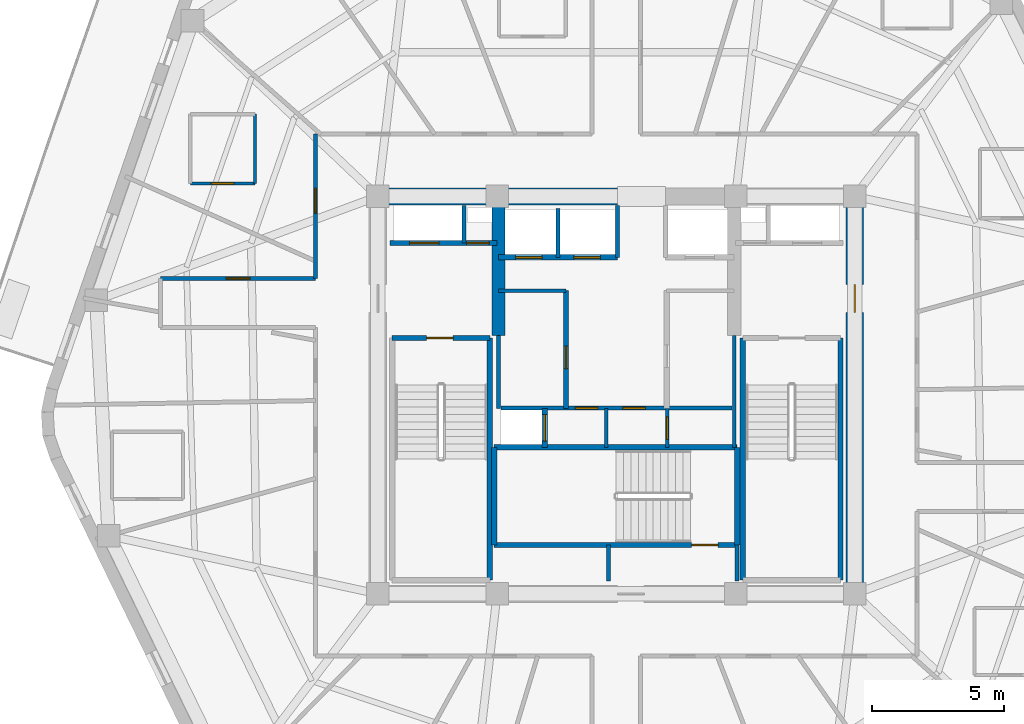
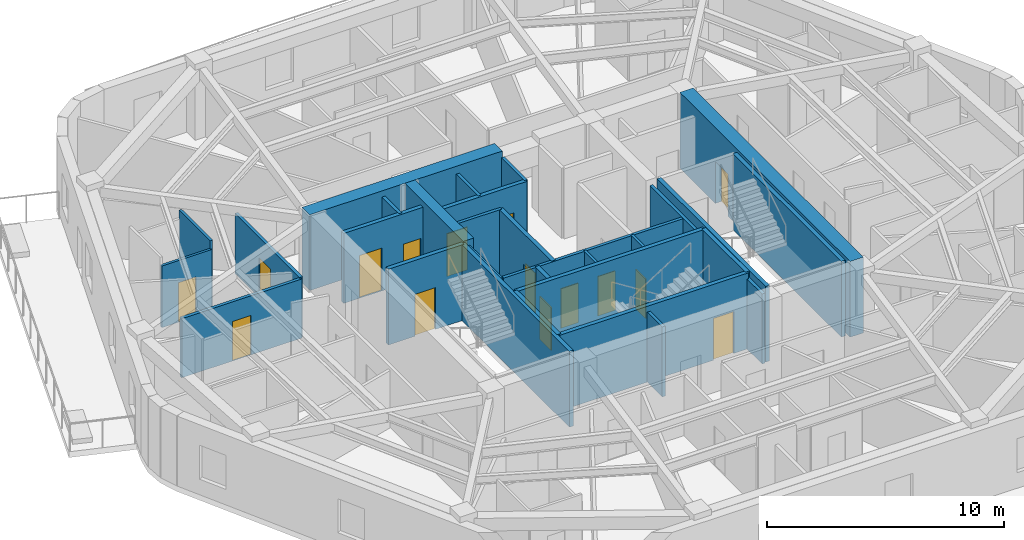
# One storey, part 4 of 9: 30 walls, 15 doors, 15 openings.
"""IFC4 building model written with IfcOpenShell, lengths in metres."""

from ifc_helpers import new_model, si_unit, direction, frame, frame_2d, origin, place, context, subcontext, project, spatial, rectangle, extrude, material, layer, layer_set, type_object, element, fill, save


model = new_model("IFC4")

# Units and contexts
model_context = context("Model", 3, precision=1e-05, world=origin(), true_north=direction((0.0, 1.0)))
body_context = subcontext(model_context, "Body", "Model", "MODEL_VIEW")
ifc_project = project(units=[si_unit("LENGTHUNIT", "METRE"), si_unit("AREAUNIT", "SQUARE_METRE"), si_unit("VOLUMEUNIT", "CUBIC_METRE"), si_unit("PLANEANGLEUNIT", "RADIAN"), si_unit("MASSUNIT", "GRAM", prefix="KILO")], contexts=[model_context])

# Site, building, storey
site_placement = place(None, origin())
site = spatial("IfcSite", under=ifc_project, at=site_placement, CompositionType="ELEMENT")
building_placement = place(site_placement, origin())
building = spatial("IfcBuilding", under=site, at=building_placement, Name="Kilnhurst Terrace Hotel", CompositionType="ELEMENT")
storey_placement = place(building_placement, frame((0.0, 0.0, 269.10009765625)))
storey = spatial("IfcBuildingStorey", under=building, at=storey_placement, Name="L67", CompositionType="ELEMENT", Elevation=269.10009765625)

# Wall, opening, door
ifc_material_1 = material(Name="Acoustic Double-Gypsum Corridor Partition Assembly")
ifc_layer_1 = layer(ifc_material_1, 0.14990234375, Name="Acoustic Double-Gypsum Corridor Partition Assembly")
ifc_layer_set_1 = layer_set([ifc_layer_1], Name="Acoustic Double-Gypsum Corridor Partition Assembly")
wall_type_1 = type_object("IfcWallType", Name="WL-COR-150", PredefinedType="PARTITIONING", material=ifc_layer_set_1)
wall_1_placement = place(storey_placement, frame((-17.199951171875, 4.39990234375, 0.0), z_axis=(0.0, 0.0, 1.0), x_axis=(1.0, 0.0, 0.0)))
wall_1 = element("IfcWall", 1, at=wall_1_placement, inside=storey, type_object=wall_type_1, Name="L67 Interior Wall WL-L67-COR-04", PredefinedType="PARTITIONING", context=body_context, shape_type="SweptSolid", body=[
    extrude(rectangle(XDim=5.849853515625, YDim=0.14990234375, at=frame_2d((2.9248046875, 0.0))), origin(), (0.0, 0.0, 1.0), 3.040283203125),
])
opening_1_placement = place(wall_1_placement, frame((2.47509765625, 0.0, 0.0)))
opening_1 = element("IfcOpeningElement", 2, at=opening_1_placement, cuts=wall_1, Name="Opening D-60C", PredefinedType="OPENING", context=body_context, shape_type="SweptSolid", body=[
    extrude(rectangle(XDim=0.89990234375, YDim=2.030029296875, at=frame_2d((0.449951171875, 1.01513671875))), frame((0.0, 0.0849609375, 0.0), z_axis=(0.0, -1.0, 0.0), x_axis=(1.0, 0.0, 0.0)), (0.0, 0.0, 1.0), 0.169921875),
])
ifc_material_2 = material(Name="Painted Solid-Core Service Fire Door")
door_type_1 = type_object("IfcDoorType", Name="DR-FD60-900", OperationType="NOTDEFINED", PredefinedType="DOOR", material=ifc_material_2)
door_1_placement = place(opening_1_placement, origin())
door_1 = element("IfcDoor", 3, at=door_1_placement, inside=storey, type_object=door_type_1, Name="L67 Wellness Consultation Room Door 10", OperationType="SINGLE_SWING_RIGHT", OverallHeight=2.030029296875, OverallWidth=0.89990234375, PredefinedType="DOOR", context=body_context, shape_type="SweptSolid", body=[
    extrude(rectangle(XDim=0.89990234375, YDim=2.030029296875, at=frame_2d((0.449951171875, 1.01513671875))), frame((0.0, 0.02490234375, 0.0), z_axis=(0.0, -1.0, 0.0), x_axis=(1.0, 0.0, 0.0)), (0.0, 0.0, 1.0), 0.050048828125),
])
fill(opening_1, door_1)

wall_2_placement = place(storey_placement, frame((-11.35009765625, 4.39990234375, 0.0), z_axis=(0.0, 0.0, 1.0), x_axis=(0.0, 1.0, 0.0)))
wall_2 = element("IfcWall", 4, at=wall_2_placement, inside=storey, type_object=wall_type_1, Name="L67 Interior Wall WL-L67-COR-05", PredefinedType="PARTITIONING", context=body_context, shape_type="SweptSolid", body=[
    extrude(rectangle(XDim=5.4501953125, YDim=0.14990234375, at=frame_2d((2.72509765625, 0.0))), origin(), (0.0, 0.0, 1.0), 3.08984375),
])
opening_2_placement = place(wall_2_placement, frame((2.4580078125, 0.0, 0.0)))
opening_2 = element("IfcOpeningElement", 5, at=opening_2_placement, cuts=wall_2, Name="Opening D-60B", PredefinedType="OPENING", context=body_context, shape_type="SweptSolid", body=[
    extrude(rectangle(XDim=0.949951171875, YDim=2.030029296875, at=frame_2d((0.47509765625, 1.01513671875))), frame((0.0, 0.0849609375, 0.0), z_axis=(0.0, -1.0, 0.0), x_axis=(1.0, 0.0, 0.0)), (0.0, 0.0, 1.0), 0.169921875),
])
ifc_material_3 = material(Name="Acoustic Walnut Veneer Solid-Core Fire Door")
door_type_2 = type_object("IfcDoorType", Name="DR-FD60-950", OperationType="NOTDEFINED", PredefinedType="DOOR", material=ifc_material_3)
door_2_placement = place(opening_2_placement, origin())
door_2 = element("IfcDoor", 6, at=door_2_placement, inside=storey, type_object=door_type_2, Name="L67 Guest Room Entry Door 9", OperationType="SINGLE_SWING_LEFT", OverallHeight=2.030029296875, OverallWidth=0.949951171875, PredefinedType="DOOR", context=body_context, shape_type="SweptSolid", body=[
    extrude(rectangle(XDim=0.949951171875, YDim=2.030029296875, at=frame_2d((0.47509765625, 1.01513671875))), frame((0.0, 0.02490234375, 0.0), z_axis=(0.0, -1.0, 0.0), x_axis=(1.0, 0.0, 0.0)), (0.0, 0.0, 1.0), 0.050048828125),
])
fill(opening_2, door_2)

# Wall
ifc_material_4 = material(Name="Concrete C60/75", Category="concrete")
ifc_layer_2 = layer(ifc_material_4, 0.64990234375, Name="Concrete C60/75")
ifc_layer_set_2 = layer_set([ifc_layer_2], Name="Concrete C60/75")
wall_type_2 = type_object("IfcWallType", Name="WL-CORE-650", PredefinedType="SHEAR", material=ifc_layer_set_2)
wall_3_placement = place(storey_placement, frame((-9.324951171875, 7.5, 0.0), z_axis=(0.0, 0.0, 1.0), x_axis=(1.0, 0.0, 0.0)))
element("IfcWall", 7, at=wall_3_placement, inside=storey, type_object=wall_type_2, Name="L67 Core North West Shear Wall", PredefinedType="SHEAR", context=body_context, shape_type="SweptSolid", body=[
    extrude(rectangle(XDim=9.375, YDim=0.64990234375, at=frame_2d((4.6875, 0.0))), origin(), (0.0, 0.0, 1.0), 3.89990234375),
])

# Wall, opening, door
wall_4_placement = place(storey_placement, frame((9.0, -7.175048828125, 0.0), z_axis=(0.0, 0.0, 1.0), x_axis=(0.0, 1.0, 0.0)))
wall_4 = element("IfcWall", 8, at=wall_4_placement, inside=storey, type_object=wall_type_2, Name="L67 Core East Shear Wall", PredefinedType="SHEAR", context=body_context, shape_type="SweptSolid", body=[
    extrude(rectangle(XDim=14.35009765625, YDim=0.64990234375, at=frame_2d((7.175048828125, 0.0))), origin(), (0.0, 0.0, 1.0), 3.89990234375),
])
opening_3_placement = place(wall_4_placement, frame((10.300048828125, 0.0, 0.0)))
opening_3 = element("IfcOpeningElement", 9, at=opening_3_placement, cuts=wall_4, Name="Opening D-90A", PredefinedType="OPENING", context=body_context, shape_type="SweptSolid", body=[
    extrude(rectangle(XDim=1.050048828125, YDim=2.14990234375, at=frame_2d((0.52490234375, 1.074951171875))), frame((0.0, 0.3349609375, 0.0), z_axis=(0.0, -1.0, 0.0), x_axis=(1.0, 0.0, 0.0)), (0.0, 0.0, 1.0), 0.669921875),
])
ifc_material_5 = material(Name="Painted Hollow Metal Steel ASTM A36 Fire Door", Category="steel")
door_type_3 = type_object("IfcDoorType", Name="DR-FD90-1050", OperationType="NOTDEFINED", PredefinedType="DOOR", material=ifc_material_5)
door_3_placement = place(opening_3_placement, origin())
door_3 = element("IfcDoor", 10, at=door_3_placement, inside=storey, type_object=door_type_3, Name="L67 East Firefighting Lobby Door", OperationType="SINGLE_SWING_LEFT", OverallHeight=2.14990234375, OverallWidth=1.050048828125, PredefinedType="DOOR", context=body_context, shape_type="SweptSolid", body=[
    extrude(rectangle(XDim=1.050048828125, YDim=2.14990234375, at=frame_2d((0.52490234375, 1.074951171875))), frame((0.0, 0.02490234375, 0.0), z_axis=(0.0, -1.0, 0.0), x_axis=(1.0, 0.0, 0.0)), (0.0, 0.0, 1.0), 0.050048828125),
])
fill(opening_3, door_3)

# Walls
ifc_layer_3 = layer(ifc_material_4, 0.5, Name="Concrete C60/75")
ifc_layer_set_3 = layer_set([ifc_layer_3], Name="Concrete C60/75")
wall_type_3 = type_object("IfcWallType", Name="WL-CORE-WEB-500", PredefinedType="SHEAR", material=ifc_layer_set_3)
wall_5_placement = place(storey_placement, frame((-4.449951171875, 2.25, 0.0), z_axis=(0.0, 0.0, 1.0), x_axis=(0.0, 1.0, 0.0)))
element("IfcWall", 11, at=wall_5_placement, inside=storey, type_object=wall_type_3, Name="L67 Core Internal West Shear Web", PredefinedType="SHEAR", context=body_context, shape_type="SweptSolid", body=[
    extrude(rectangle(XDim=4.925048828125, YDim=0.5, at=frame_2d((2.46240234375, 0.0))), origin(), (0.0, 0.0, 1.0), 3.89990234375),
])
ifc_material_6 = material(Name="120 mm Moisture-Resistant Tile-Backed Bathroom Partition")
ifc_layer_4 = layer(ifc_material_6, 0.1201171875, Name="120 mm Moisture-Resistant Tile-Backed Bathroom Partition")
ifc_layer_set_4 = layer_set([ifc_layer_4], Name="120 mm Moisture-Resistant Tile-Backed Bathroom Partition")
wall_type_4 = type_object("IfcWallType", Name="WL-PART-120", PredefinedType="PARTITIONING", material=ifc_layer_set_4)
wall_6_placement = place(storey_placement, frame((-0.3798828125, -1.971923828125, 0.0), z_axis=(0.0, 0.0, 1.0), x_axis=(0.0, 1.0, 0.0)))
element("IfcWall", 12, at=wall_6_placement, inside=storey, type_object=wall_type_4, Name="L67 Interior Wall WL-L67-BOH-C1", PredefinedType="PARTITIONING", context=body_context, shape_type="SweptSolid", body=[
    extrude(rectangle(XDim=1.471923828125, YDim=0.1201171875, at=frame_2d((0.73583984375, 0.0))), origin(), (0.0, 0.0, 1.0), 3.599853515625),
])

# Wall, opening, door
wall_7_placement = place(storey_placement, frame((1.919921875, -1.971923828125, 0.0), z_axis=(0.0, 0.0, 1.0), x_axis=(0.0, 1.0, 0.0)))
wall_7 = element("IfcWall", 13, at=wall_7_placement, inside=storey, type_object=wall_type_4, Name="L67 Interior Wall WL-L67-BOH-C2", PredefinedType="PARTITIONING", context=body_context, shape_type="SweptSolid", body=[
    extrude(rectangle(XDim=1.471923828125, YDim=0.1201171875, at=frame_2d((0.73583984375, 0.0))), origin(), (0.0, 0.0, 1.0), 3.599853515625),
])
opening_4_placement = place(wall_7_placement, frame((0.300048828125, 0.0, 0.0)))
opening_4 = element("IfcOpeningElement", 14, at=opening_4_placement, cuts=wall_7, Name="Opening D-08A", PredefinedType="OPENING", context=body_context, shape_type="SweptSolid", body=[
    extrude(rectangle(XDim=0.85009765625, YDim=2.030029296875, at=frame_2d((0.425048828125, 1.01513671875))), frame((0.0, 0.070068359375, 0.0), z_axis=(0.0, -1.0, 0.0), x_axis=(1.0, 0.0, 0.0)), (0.0, 0.0, 1.0), 0.14013671875),
])
ifc_material_7 = material(Name="Moisture-Resistant Lacquered En-suite Bathroom Door")
door_type_4 = type_object("IfcDoorType", Name="DR-INT-850", OperationType="NOTDEFINED", PredefinedType="DOOR", material=ifc_material_7)
door_4_placement = place(opening_4_placement, origin())
door_4 = element("IfcDoor", 15, at=door_4_placement, inside=storey, type_object=door_type_4, Name="L67 Staff Restroom Door", OperationType="SINGLE_SWING_RIGHT", OverallHeight=2.030029296875, OverallWidth=0.85009765625, PredefinedType="DOOR", context=body_context, shape_type="SweptSolid", body=[
    extrude(rectangle(XDim=0.85009765625, YDim=2.030029296875, at=frame_2d((0.425048828125, 1.01513671875))), frame((0.0, 0.02490234375, 0.0), z_axis=(0.0, -1.0, 0.0), x_axis=(1.0, 0.0, 0.0)), (0.0, 0.0, 1.0), 0.050048828125),
])
fill(opening_4, door_4)

wall_8_placement = place(storey_placement, frame((-16.0791015625, 7.991943359375, 0.0), z_axis=(0.0, 0.0, 1.0), x_axis=(1.0, 0.0, 0.0)))
wall_8 = element("IfcWall", 16, at=wall_8_placement, inside=storey, type_object=wall_type_4, Name="L67 Interior Wall WL-L67-BTH-09-1", PredefinedType="PARTITIONING", context=body_context, shape_type="SweptSolid", body=[
    extrude(rectangle(XDim=2.440185546875, YDim=0.1201171875, at=frame_2d((1.22021484375, 0.0))), origin(), (0.0, 0.0, 1.0), 3.17236328125),
])
opening_5_placement = place(wall_8_placement, frame((0.794921875, 0.0, 0.0)))
opening_5 = element("IfcOpeningElement", 17, at=opening_5_placement, cuts=wall_8, Name="Opening D-08A", PredefinedType="OPENING", context=body_context, shape_type="SweptSolid", body=[
    extrude(rectangle(XDim=0.85009765625, YDim=2.030029296875, at=frame_2d((0.425048828125, 1.01513671875))), frame((0.0, 0.070068359375, 0.0), z_axis=(0.0, -1.0, 0.0), x_axis=(1.0, 0.0, 0.0)), (0.0, 0.0, 1.0), 0.14013671875),
])
door_5_placement = place(opening_5_placement, origin())
door_5 = element("IfcDoor", 18, at=door_5_placement, inside=storey, type_object=door_type_4, Name="L67 En-suite Bathroom Door 9", OperationType="SINGLE_SWING_RIGHT", OverallHeight=2.030029296875, OverallWidth=0.85009765625, PredefinedType="DOOR", context=body_context, shape_type="SweptSolid", body=[
    extrude(rectangle(XDim=0.85009765625, YDim=2.030029296875, at=frame_2d((0.425048828125, 1.01513671875))), frame((0.0, 0.02490234375, 0.0), z_axis=(0.0, -1.0, 0.0), x_axis=(1.0, 0.0, 0.0)), (0.0, 0.0, 1.0), 0.050048828125),
])
fill(opening_5, door_5)

# Walls
wall_9_placement = place(storey_placement, frame((-13.638916015625, 7.991943359375, 0.0), z_axis=(0.0, 0.0, 1.0), x_axis=(0.0, 1.0, 0.0)))
element("IfcWall", 19, at=wall_9_placement, inside=storey, type_object=wall_type_4, Name="L67 Interior Wall WL-L67-BTH-09-2", PredefinedType="PARTITIONING", context=body_context, shape_type="SweptSolid", body=[
    extrude(rectangle(XDim=2.610107421875, YDim=0.1201171875, at=frame_2d((1.30517578125, 0.0))), origin(), (0.0, 0.0, 1.0), 3.599853515625),
])
ifc_material_8 = material(Name="Fire-Rated Gypsum Shaftliner Assembly")
ifc_layer_5 = layer(ifc_material_8, 0.14990234375, Name="Fire-Rated Gypsum Shaftliner Assembly")
ifc_layer_set_5 = layer_set([ifc_layer_5], Name="Fire-Rated Gypsum Shaftliner Assembly")
wall_type_5 = type_object("IfcWallType", Name="WL-SHAFT-150", PredefinedType="PARTITIONING", material=ifc_layer_set_5)
for number, where, z_axis, x_axis, name in (
    (20, (-0.300048828125, -7.02001953125, 0.0), (0.0, 0.0, 1.0), (0.0, 1.0, 0.0), "L67 Interior Wall WL-L67-ST3-PSGW"),
    (21, (4.55810546875, -7.02001953125, 0.0), (0.0, 0.0, 1.0), (0.0, 1.0, 0.0), "L67 Interior Wall WL-L67-ST3-PSGE"),
):
    element("IfcWall", number, at=place(storey_placement, frame(where, z_axis=z_axis, x_axis=x_axis)), inside=storey, type_object=wall_type_5, Name=name, PredefinedType="PARTITIONING", context=body_context, shape_type="SweptSolid", body=[
        extrude(rectangle(XDim=1.362060546875, YDim=0.14990234375, at=frame_2d((0.68115234375, 0.0))), origin(), (0.0, 0.0, 1.0), 3.599853515625),
    ])
wall_10_placement = place(storey_placement, frame((-5.75, 5.739990234375, 0.0), z_axis=(0.0, 0.0, 1.0), x_axis=(0.0, 1.0, 0.0)))
element("IfcWall", 22, at=wall_10_placement, inside=storey, type_object=wall_type_5, Name="L67 Interior Wall WL-L67-RIS1-DIV", PredefinedType="PARTITIONING", context=body_context, shape_type="SweptSolid", body=[
    extrude(rectangle(XDim=1.409912109375, YDim=0.14990234375, at=frame_2d((0.705078125, 0.0))), origin(), (0.0, 0.0, 1.0), 3.599853515625),
])
wall_11_placement = place(storey_placement, frame((-2.199951171875, 5.199951171875, 0.0), z_axis=(0.0, 0.0, 1.0), x_axis=(0.0, 1.0, 0.0)))
element("IfcWall", 23, at=wall_11_placement, inside=storey, type_object=wall_type_5, Name="L67 Interior Wall WL-L67-HR-DIV1", PredefinedType="PARTITIONING", context=body_context, shape_type="SweptSolid", body=[
    extrude(rectangle(XDim=1.85009765625, YDim=0.14990234375, at=frame_2d((0.925048828125, 0.0))), origin(), (0.0, 0.0, 1.0), 3.599853515625),
])
wall_12_placement = place(storey_placement, frame((0.050048828125, 5.199951171875, 0.0), z_axis=(0.0, 0.0, 1.0), x_axis=(0.0, 1.0, 0.0)))
element("IfcWall", 24, at=wall_12_placement, inside=storey, type_object=wall_type_5, Name="L67 Interior Wall WL-L67-HR-PORTAL-W", PredefinedType="PARTITIONING", context=body_context, shape_type="SweptSolid", body=[
    extrude(rectangle(XDim=1.949951171875, YDim=0.14990234375, at=frame_2d((0.97509765625, 0.0))), origin(), (0.0, 0.0, 1.0), 3.599853515625),
])
wall_13_placement = place(storey_placement, frame((-4.449951171875, -0.5, 0.0), z_axis=(0.0, 0.0, 1.0), x_axis=(0.0, 1.0, 0.0)))
element("IfcWall", 25, at=wall_13_placement, inside=storey, type_object=wall_type_5, Name="L67 Interior Wall WL-L67-XLOB-W", PredefinedType="PARTITIONING", context=body_context, shape_type="SweptSolid", body=[
    extrude(rectangle(XDim=2.75, YDim=0.14990234375, at=frame_2d((1.375, 0.0))), origin(), (0.0, 0.0, 1.0), 3.599853515625),
])
wall_14_placement = place(storey_placement, frame((4.449951171875, -1.971923828125, 0.0), z_axis=(0.0, 0.0, 1.0), x_axis=(0.0, 1.0, 0.0)))
element("IfcWall", 26, at=wall_14_placement, inside=storey, type_object=wall_type_5, Name="L67 Interior Wall WL-L67-XLOB-E", PredefinedType="PARTITIONING", context=body_context, shape_type="SweptSolid", body=[
    extrude(rectangle(XDim=4.221923828125, YDim=0.14990234375, at=frame_2d((2.11083984375, 0.0))), origin(), (0.0, 0.0, 1.0), 3.599853515625),
])
wall_15_placement = place(storey_placement, frame((-4.449951171875, 3.93994140625, 0.0), z_axis=(0.0, 0.0, 1.0), x_axis=(1.0, 0.0, 0.0)))
element("IfcWall", 27, at=wall_15_placement, inside=storey, type_object=wall_type_5, Name="L67 Interior Wall WL-L67-LR-NORTH", PredefinedType="PARTITIONING", context=body_context, shape_type="SweptSolid", body=[
    extrude(rectangle(XDim=2.550048828125, YDim=0.14990234375, at=frame_2d((1.27490234375, 0.0))), origin(), (0.0, 0.0, 1.0), 3.599853515625),
])

# Wall, openings, doors
wall_16_placement = place(storey_placement, frame((-4.360107421875, -0.489990234375, 0.0), z_axis=(0.0, 0.0, 1.0), x_axis=(1.0, 0.0, 0.0)))
wall_16 = element("IfcWall", 28, at=wall_16_placement, inside=storey, type_object=wall_type_5, Name="L67 Interior Wall WL-L67-BOH-N", PredefinedType="PARTITIONING", context=body_context, shape_type="SweptSolid", body=[
    extrude(rectangle(XDim=8.72021484375, YDim=0.14990234375, at=frame_2d((4.360107421875, 0.0))), origin(), (0.0, 0.0, 1.0), 3.599853515625),
])
opening_6_placement = place(wall_16_placement, frame((2.81005859375, 0.0, 0.0)))
opening_6 = element("IfcOpeningElement", 29, at=opening_6_placement, cuts=wall_16, Name="Opening D-60D", PredefinedType="OPENING", context=body_context, shape_type="SweptSolid", body=[
    extrude(rectangle(XDim=0.85009765625, YDim=2.030029296875, at=frame_2d((0.425048828125, 1.01513671875))), frame((0.0, 0.0849609375, 0.0), z_axis=(0.0, -1.0, 0.0), x_axis=(1.0, 0.0, 0.0)), (0.0, 0.0, 1.0), 0.169921875),
])
opening_7_placement = place(wall_16_placement, frame((4.610107421875, 0.0, 0.0)))
opening_7 = element("IfcOpeningElement", 30, at=opening_7_placement, cuts=wall_16, Name="Opening D-60D", PredefinedType="OPENING", context=body_context, shape_type="SweptSolid", body=[
    extrude(rectangle(XDim=0.85009765625, YDim=2.030029296875, at=frame_2d((0.425048828125, 1.01513671875))), frame((0.0, 0.0849609375, 0.0), z_axis=(0.0, -1.0, 0.0), x_axis=(1.0, 0.0, 0.0)), (0.0, 0.0, 1.0), 0.169921875),
])
ifc_material_9 = material(Name="Painted Hollow Metal Steel ASTM A36 Riser Door", Category="steel")
door_type_5 = type_object("IfcDoorType", Name="DR-FD60-850", OperationType="NOTDEFINED", PredefinedType="DOOR", material=ifc_material_9)
door_6_placement = place(opening_6_placement, origin())
door_6 = element("IfcDoor", 31, at=door_6_placement, inside=storey, type_object=door_type_5, Name="L67 Housekeeping Station Door", OperationType="SINGLE_SWING_LEFT", OverallHeight=2.030029296875, OverallWidth=0.85009765625, PredefinedType="DOOR", context=body_context, shape_type="SweptSolid", body=[
    extrude(rectangle(XDim=0.85009765625, YDim=2.030029296875, at=frame_2d((0.425048828125, 1.01513671875))), frame((0.0, 0.02490234375, 0.0), z_axis=(0.0, -1.0, 0.0), x_axis=(1.0, 0.0, 0.0)), (0.0, 0.0, 1.0), 0.050048828125),
])
fill(opening_6, door_6)
door_7_placement = place(opening_7_placement, origin())
door_7 = element("IfcDoor", 32, at=door_7_placement, inside=storey, type_object=door_type_5, Name="L67 Beverage Pantry Door", OperationType="SINGLE_SWING_RIGHT", OverallHeight=2.030029296875, OverallWidth=0.85009765625, PredefinedType="DOOR", context=body_context, shape_type="SweptSolid", body=[
    extrude(rectangle(XDim=0.85009765625, YDim=2.030029296875, at=frame_2d((0.425048828125, 1.01513671875))), frame((0.0, 0.02490234375, 0.0), z_axis=(0.0, -1.0, 0.0), x_axis=(1.0, 0.0, 0.0)), (0.0, 0.0, 1.0), 0.050048828125),
])
fill(opening_7, door_7)

ifc_material_10 = material(Name="Autoclaved Aerated Concrete C30/37 and Gypsum Shaft Assembly", Category="concrete")
ifc_layer_6 = layer(ifc_material_10, 0.199951171875, Name="Autoclaved Aerated Concrete C30/37 and Gypsum Shaft Assembly")
ifc_layer_set_6 = layer_set([ifc_layer_6], Name="Autoclaved Aerated Concrete C30/37 and Gypsum Shaft Assembly")
wall_type_6 = type_object("IfcWallType", Name="WL-SHAFT-200", PredefinedType="PARTITIONING", material=ifc_layer_set_6)
wall_17_placement = place(storey_placement, frame((-8.550048828125, 5.739990234375, 0.0), z_axis=(0.0, 0.0, 1.0), x_axis=(1.0, 0.0, 0.0)))
wall_17 = element("IfcWall", 33, at=wall_17_placement, inside=storey, type_object=wall_type_6, Name="L67 Interior Wall WL-L67-FSAE1-S", PredefinedType="PARTITIONING", context=body_context, shape_type="SweptSolid", body=[
    extrude(rectangle(XDim=4.050048828125, YDim=0.199951171875, at=frame_2d((2.02490234375, 0.0))), origin(), (0.0, 0.0, 1.0), 3.599853515625),
])
opening_8_placement = place(wall_17_placement, frame((0.75, 0.0, 0.0)))
opening_8 = element("IfcOpeningElement", 34, at=opening_8_placement, cuts=wall_17, Name="Opening LD-F1", PredefinedType="OPENING", context=body_context, shape_type="SweptSolid", body=[
    extrude(rectangle(XDim=1.10009765625, YDim=2.199951171875, at=frame_2d((0.550048828125, 1.10009765625))), frame((0.0, 0.10986328125, 0.0), z_axis=(0.0, -1.0, 0.0), x_axis=(1.0, 0.0, 0.0)), (0.0, 0.0, 1.0), 0.219970703125),
])
opening_9_placement = place(wall_17_placement, frame((2.89990234375, 0.0, 0.0)))
opening_9 = element("IfcOpeningElement", 35, at=opening_9_placement, cuts=wall_17, Name="Opening D-60D", PredefinedType="OPENING", context=body_context, shape_type="SweptSolid", body=[
    extrude(rectangle(XDim=0.85009765625, YDim=2.030029296875, at=frame_2d((0.425048828125, 1.01513671875))), frame((0.0, 0.10986328125, 0.0), z_axis=(0.0, -1.0, 0.0), x_axis=(1.0, 0.0, 0.0)), (0.0, 0.0, 1.0), 0.219970703125),
])
door_8_placement = place(opening_9_placement, origin())
door_8 = element("IfcDoor", 36, at=door_8_placement, inside=storey, type_object=door_type_5, Name="L67 Electrical Riser Door", OperationType="SINGLE_SWING_LEFT", OverallHeight=2.030029296875, OverallWidth=0.85009765625, PredefinedType="DOOR", context=body_context, shape_type="SweptSolid", body=[
    extrude(rectangle(XDim=0.85009765625, YDim=2.030029296875, at=frame_2d((0.425048828125, 1.01513671875))), frame((0.0, 0.02490234375, 0.0), z_axis=(0.0, -1.0, 0.0), x_axis=(1.0, 0.0, 0.0)), (0.0, 0.0, 1.0), 0.050048828125),
])
fill(opening_9, door_8)
ifc_material_11 = material(Name="Bronze-Anodized Stainless Steel AISI 316L Sliding Door", Category="steel")
door_type_6 = type_object("IfcDoorType", Name="DR-LIFT-1100", OperationType="NOTDEFINED", PredefinedType="DOOR", material=ifc_material_11)
door_9_placement = place(opening_8_placement, origin())
door_9 = element("IfcDoor", 37, at=door_9_placement, inside=storey, type_object=door_type_6, Name="L67 FSAE-1 Landing Door", OperationType="SLIDING_TO_LEFT", OverallHeight=2.199951171875, OverallWidth=1.10009765625, PredefinedType="DOOR", context=body_context, shape_type="SweptSolid", body=[
    extrude(rectangle(XDim=1.10009765625, YDim=2.199951171875, at=frame_2d((0.550048828125, 1.10009765625))), frame((0.0, 0.02490234375, 0.0), z_axis=(0.0, -1.0, 0.0), x_axis=(1.0, 0.0, 0.0)), (0.0, 0.0, 1.0), 0.050048828125),
])
fill(opening_8, door_9)

# Wall, opening, door
wall_18_placement = place(storey_placement, frame((-2.699951171875, -1.971923828125, 0.0), z_axis=(0.0, 0.0, 1.0), x_axis=(0.0, 1.0, 0.0)))
wall_18 = element("IfcWall", 38, at=wall_18_placement, inside=storey, type_object=wall_type_6, Name="L67 Interior Wall WL-L67-SRV1-E", PredefinedType="PARTITIONING", context=body_context, shape_type="SweptSolid", body=[
    extrude(rectangle(XDim=1.471923828125, YDim=0.199951171875, at=frame_2d((0.73583984375, 0.0))), origin(), (0.0, 0.0, 1.0), 3.599853515625),
])
opening_10_placement = place(wall_18_placement, frame((0.239990234375, 0.0, 0.0)))
opening_10 = element("IfcOpeningElement", 39, at=opening_10_placement, cuts=wall_18, Name="Opening LD-SV", PredefinedType="OPENING", context=body_context, shape_type="SweptSolid", body=[
    extrude(rectangle(XDim=1.0, YDim=2.199951171875, at=frame_2d((0.5, 1.10009765625))), frame((0.0, 0.10986328125, 0.0), z_axis=(0.0, -1.0, 0.0), x_axis=(1.0, 0.0, 0.0)), (0.0, 0.0, 1.0), 0.219970703125),
])
door_type_7 = type_object("IfcDoorType", Name="DR-LIFT-1000", OperationType="NOTDEFINED", PredefinedType="DOOR", material=ifc_material_11)
door_10_placement = place(opening_10_placement, origin())
door_10 = element("IfcDoor", 40, at=door_10_placement, inside=storey, type_object=door_type_7, Name="L67 Service Lift SRV-1 Landing Door", OperationType="SLIDING_TO_LEFT", OverallHeight=2.199951171875, OverallWidth=1.0, PredefinedType="DOOR", context=body_context, shape_type="SweptSolid", body=[
    extrude(rectangle(XDim=1.0, YDim=2.199951171875, at=frame_2d((0.5, 1.10009765625))), frame((0.0, 0.02490234375, 0.0), z_axis=(0.0, -1.0, 0.0), x_axis=(1.0, 0.0, 0.0)), (0.0, 0.0, 1.0), 0.050048828125),
])
fill(opening_10, door_10)

# Wall, openings, doors
wall_19_placement = place(storey_placement, frame((-4.449951171875, 5.199951171875, 0.0), z_axis=(0.0, 0.0, 1.0), x_axis=(1.0, 0.0, 0.0)))
wall_19 = element("IfcWall", 41, at=wall_19_placement, inside=storey, type_object=wall_type_6, Name="L67 Interior Wall WL-L67-HR-SW", PredefinedType="PARTITIONING", context=body_context, shape_type="SweptSolid", body=[
    extrude(rectangle(XDim=4.5, YDim=0.199951171875, at=frame_2d((2.25, 0.0))), origin(), (0.0, 0.0, 1.0), 3.599853515625),
])
opening_11_placement = place(wall_19_placement, frame((0.64990234375, 0.0, 0.0)))
opening_11 = element("IfcOpeningElement", 42, at=opening_11_placement, cuts=wall_19, Name="Opening LD-HR", PredefinedType="OPENING", context=body_context, shape_type="SweptSolid", body=[
    extrude(rectangle(XDim=1.0, YDim=2.199951171875, at=frame_2d((0.5, 1.10009765625))), frame((0.0, 0.10986328125, 0.0), z_axis=(0.0, -1.0, 0.0), x_axis=(1.0, 0.0, 0.0)), (0.0, 0.0, 1.0), 0.219970703125),
])
opening_12_placement = place(wall_19_placement, frame((2.85009765625, 0.0, 0.0)))
opening_12 = element("IfcOpeningElement", 43, at=opening_12_placement, cuts=wall_19, Name="Opening LD-HS", PredefinedType="OPENING", context=body_context, shape_type="SweptSolid", body=[
    extrude(rectangle(XDim=1.0, YDim=2.199951171875, at=frame_2d((0.5, 1.10009765625))), frame((0.0, 0.10986328125, 0.0), z_axis=(0.0, -1.0, 0.0), x_axis=(1.0, 0.0, 0.0)), (0.0, 0.0, 1.0), 0.219970703125),
])
door_11_placement = place(opening_11_placement, origin())
door_11 = element("IfcDoor", 44, at=door_11_placement, inside=storey, type_object=door_type_7, Name="L67 High Rise Lift HR-1 Landing Door", OperationType="SLIDING_TO_LEFT", OverallHeight=2.199951171875, OverallWidth=1.0, PredefinedType="DOOR", context=body_context, shape_type="SweptSolid", body=[
    extrude(rectangle(XDim=1.0, YDim=2.199951171875, at=frame_2d((0.5, 1.10009765625))), frame((0.0, 0.02490234375, 0.0), z_axis=(0.0, -1.0, 0.0), x_axis=(1.0, 0.0, 0.0)), (0.0, 0.0, 1.0), 0.050048828125),
])
fill(opening_11, door_11)
door_12_placement = place(opening_12_placement, origin())
door_12 = element("IfcDoor", 45, at=door_12_placement, inside=storey, type_object=door_type_7, Name="L67 High Rise Lift HR-3 Landing Door", OperationType="SLIDING_TO_RIGHT", OverallHeight=2.199951171875, OverallWidth=1.0, PredefinedType="DOOR", context=body_context, shape_type="SweptSolid", body=[
    extrude(rectangle(XDim=1.0, YDim=2.199951171875, at=frame_2d((0.5, 1.10009765625))), frame((0.0, 0.02490234375, 0.0), z_axis=(0.0, -1.0, 0.0), x_axis=(1.0, 0.0, 0.0)), (0.0, 0.0, 1.0), 0.050048828125),
])
fill(opening_12, door_12)

# Wall, opening, door
wall_20_placement = place(storey_placement, frame((-1.89990234375, -0.5, 0.0), z_axis=(0.0, 0.0, 1.0), x_axis=(0.0, 1.0, 0.0)))
wall_20 = element("IfcWall", 46, at=wall_20_placement, inside=storey, type_object=wall_type_6, Name="L67 Interior Wall WL-L67-LR-FRONT", PredefinedType="PARTITIONING", context=body_context, shape_type="SweptSolid", body=[
    extrude(rectangle(XDim=4.43994140625, YDim=0.199951171875, at=frame_2d((2.219970703125, 0.0))), origin(), (0.0, 0.0, 1.0), 3.599853515625),
])
opening_13_placement = place(wall_20_placement, frame((1.5, 0.0, 0.0)))
opening_13 = element("IfcOpeningElement", 47, at=opening_13_placement, cuts=wall_20, Name="Opening D-60D", PredefinedType="OPENING", context=body_context, shape_type="SweptSolid", body=[
    extrude(rectangle(XDim=0.85009765625, YDim=2.030029296875, at=frame_2d((0.425048828125, 1.01513671875))), frame((0.0, 0.10986328125, 0.0), z_axis=(0.0, -1.0, 0.0), x_axis=(1.0, 0.0, 0.0)), (0.0, 0.0, 1.0), 0.219970703125),
])
door_13_placement = place(opening_13_placement, origin())
door_13 = element("IfcDoor", 48, at=door_13_placement, inside=storey, type_object=door_type_5, Name="L67 Reclaimed Linen Room Door", OperationType="SINGLE_SWING_LEFT", OverallHeight=2.030029296875, OverallWidth=0.85009765625, PredefinedType="DOOR", context=body_context, shape_type="SweptSolid", body=[
    extrude(rectangle(XDim=0.85009765625, YDim=2.030029296875, at=frame_2d((0.425048828125, 1.01513671875))), frame((0.0, 0.02490234375, 0.0), z_axis=(0.0, -1.0, 0.0), x_axis=(1.0, 0.0, 0.0)), (0.0, 0.0, 1.0), 0.050048828125),
])
fill(opening_13, door_13)

# Wall
ifc_material_12 = material(Name="Concrete C50/60", Category="concrete")
ifc_layer_7 = layer(ifc_material_12, 0.199951171875, Name="Concrete C50/60")
ifc_layer_set_7 = layer_set([ifc_layer_7], Name="Concrete C50/60")
wall_type_7 = type_object("IfcWallType", Name="WL-STAIR-RC-200", PredefinedType="SHEAR", material=ifc_layer_set_7)
wall_21_placement = place(storey_placement, frame((-4.77197265625, -6.985107421875, 0.0), z_axis=(0.0, 0.0, 1.0), x_axis=(0.0, 1.0, 0.0)))
element("IfcWall", 49, at=wall_21_placement, inside=storey, type_object=wall_type_7, Name="L67 Structural Stair Shaft Wall WL-L67-ST1-E", PredefinedType="SHEAR", context=body_context, shape_type="SweptSolid", body=[
    extrude(rectangle(XDim=9.14306640625, YDim=0.199951171875, at=frame_2d((4.571533203125, 0.0))), origin(), (0.0, 0.0, 1.0), 3.89990234375),
])

# Wall, opening, door
wall_22_placement = place(storey_placement, frame((-8.4580078125, 2.157958984375, 0.0), z_axis=(0.0, 0.0, 1.0), x_axis=(1.0, 0.0, 0.0)))
wall_22 = element("IfcWall", 50, at=wall_22_placement, inside=storey, type_object=wall_type_7, Name="L67 Structural Stair Shaft Wall WL-L67-ST1-N", PredefinedType="SHEAR", context=body_context, shape_type="SweptSolid", body=[
    extrude(rectangle(XDim=3.68603515625, YDim=0.199951171875, at=frame_2d((1.843017578125, 0.0))), origin(), (0.0, 0.0, 1.0), 3.89990234375),
])
opening_14_placement = place(wall_22_placement, frame((1.300048828125, 0.0, 0.0)))
opening_14 = element("IfcOpeningElement", 51, at=opening_14_placement, cuts=wall_22, Name="Opening D-90B", PredefinedType="OPENING", context=body_context, shape_type="SweptSolid", body=[
    extrude(rectangle(XDim=1.0, YDim=2.14990234375, at=frame_2d((0.5, 1.074951171875))), frame((0.0, 0.10986328125, 0.0), z_axis=(0.0, -1.0, 0.0), x_axis=(1.0, 0.0, 0.0)), (0.0, 0.0, 1.0), 0.219970703125),
])
door_type_8 = type_object("IfcDoorType", Name="DR-FD90-1000", OperationType="NOTDEFINED", PredefinedType="DOOR", material=ifc_material_5)
door_14_placement = place(opening_14_placement, origin())
door_14 = element("IfcDoor", 52, at=door_14_placement, inside=storey, type_object=door_type_8, Name="L67 Stair ST-1 Door", OperationType="SINGLE_SWING_LEFT", OverallHeight=2.14990234375, OverallWidth=1.0, PredefinedType="DOOR", context=body_context, shape_type="SweptSolid", body=[
    extrude(rectangle(XDim=1.0, YDim=2.14990234375, at=frame_2d((0.5, 1.074951171875))), frame((0.0, 0.02490234375, 0.0), z_axis=(0.0, -1.0, 0.0), x_axis=(1.0, 0.0, 0.0)), (0.0, 0.0, 1.0), 0.050048828125),
])
fill(opening_14, door_14)

# Walls
for number, where, z_axis, x_axis, name in (
    (53, (4.77197265625, -6.985107421875, 0.0), (0.0, 0.0, 1.0), (0.0, 1.0, 0.0), "L67 Structural Stair Shaft Wall WL-L67-ST2-W"),
    (54, (8.4580078125, -6.985107421875, 0.0), (0.0, 0.0, 1.0), (0.0, 1.0, 0.0), "L67 Structural Stair Shaft Wall WL-L67-ST2-E"),
):
    element("IfcWall", number, at=place(storey_placement, frame(where, z_axis=z_axis, x_axis=x_axis)), inside=storey, type_object=wall_type_7, Name=name, PredefinedType="SHEAR", context=body_context, shape_type="SweptSolid", body=[
        extrude(rectangle(XDim=9.14306640625, YDim=0.199951171875, at=frame_2d((4.571533203125, 0.0))), origin(), (0.0, 0.0, 1.0), 3.89990234375),
    ])
wall_23_placement = place(storey_placement, frame((-4.60791015625, -5.657958984375, 0.0), z_axis=(0.0, 0.0, 1.0), x_axis=(0.0, 1.0, 0.0)))
element("IfcWall", 55, at=wall_23_placement, inside=storey, type_object=wall_type_7, Name="L67 Structural Stair Shaft Wall WL-L67-ST3-W", PredefinedType="SHEAR", context=body_context, shape_type="SweptSolid", body=[
    extrude(rectangle(XDim=3.68603515625, YDim=0.199951171875, at=frame_2d((1.843017578125, 0.0))), origin(), (0.0, 0.0, 1.0), 3.89990234375),
])

# Wall, opening, door
wall_24_placement = place(storey_placement, frame((-4.60791015625, -5.657958984375, 0.0), z_axis=(0.0, 0.0, 1.0), x_axis=(1.0, 0.0, 0.0)))
wall_24 = element("IfcWall", 56, at=wall_24_placement, inside=storey, type_object=wall_type_7, Name="L67 Structural Stair Shaft Wall WL-L67-ST3-S", PredefinedType="SHEAR", context=body_context, shape_type="SweptSolid", body=[
    extrude(rectangle(XDim=9.166015625, YDim=0.199951171875, at=frame_2d((4.5830078125, 0.0))), origin(), (0.0, 0.0, 1.0), 3.89990234375),
])
opening_15_placement = place(wall_24_placement, frame((7.449951171875, 0.0, 0.0)))
opening_15 = element("IfcOpeningElement", 57, at=opening_15_placement, cuts=wall_24, Name="Opening D-90B", PredefinedType="OPENING", context=body_context, shape_type="SweptSolid", body=[
    extrude(rectangle(XDim=1.0, YDim=2.14990234375, at=frame_2d((0.5, 1.074951171875))), frame((0.0, 0.10986328125, 0.0), z_axis=(0.0, -1.0, 0.0), x_axis=(1.0, 0.0, 0.0)), (0.0, 0.0, 1.0), 0.219970703125),
])
door_15_placement = place(opening_15_placement, origin())
door_15 = element("IfcDoor", 58, at=door_15_placement, inside=storey, type_object=door_type_8, Name="L67 Stair ST-3 Shaft Door", OperationType="SINGLE_SWING_LEFT", OverallHeight=2.14990234375, OverallWidth=1.0, PredefinedType="DOOR", context=body_context, shape_type="SweptSolid", body=[
    extrude(rectangle(XDim=1.0, YDim=2.14990234375, at=frame_2d((0.5, 1.074951171875))), frame((0.0, 0.02490234375, 0.0), z_axis=(0.0, -1.0, 0.0), x_axis=(1.0, 0.0, 0.0)), (0.0, 0.0, 1.0), 0.050048828125),
])
fill(opening_15, door_15)

# Walls
wall_25_placement = place(storey_placement, frame((-4.60791015625, -1.971923828125, 0.0), z_axis=(0.0, 0.0, 1.0), x_axis=(1.0, 0.0, 0.0)))
element("IfcWall", 59, at=wall_25_placement, inside=storey, type_object=wall_type_7, Name="L67 Structural Stair Shaft Wall WL-L67-ST3-N", PredefinedType="SHEAR", context=body_context, shape_type="SweptSolid", body=[
    extrude(rectangle(XDim=9.166015625, YDim=0.199951171875, at=frame_2d((4.5830078125, 0.0))), origin(), (0.0, 0.0, 1.0), 3.89990234375),
])
wall_26_placement = place(storey_placement, frame((4.55810546875, -5.657958984375, 0.0), z_axis=(0.0, 0.0, 1.0), x_axis=(0.0, 1.0, 0.0)))
element("IfcWall", 60, at=wall_26_placement, inside=storey, type_object=wall_type_7, Name="L67 Structural Stair Shaft Wall WL-L67-ST3-E", PredefinedType="SHEAR", context=body_context, shape_type="SweptSolid", body=[
    extrude(rectangle(XDim=3.68603515625, YDim=0.199951171875, at=frame_2d((1.843017578125, 0.0))), origin(), (0.0, 0.0, 1.0), 3.89990234375),
])

save(model, "model.ifc")
